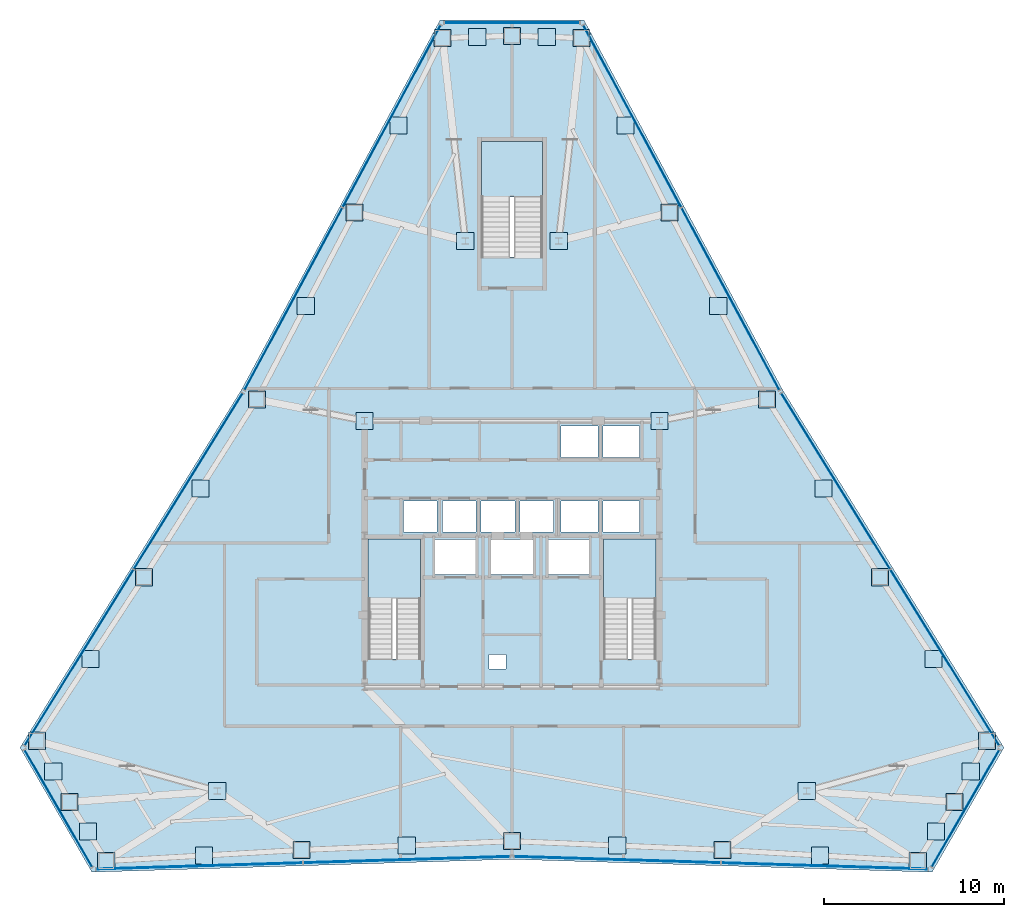
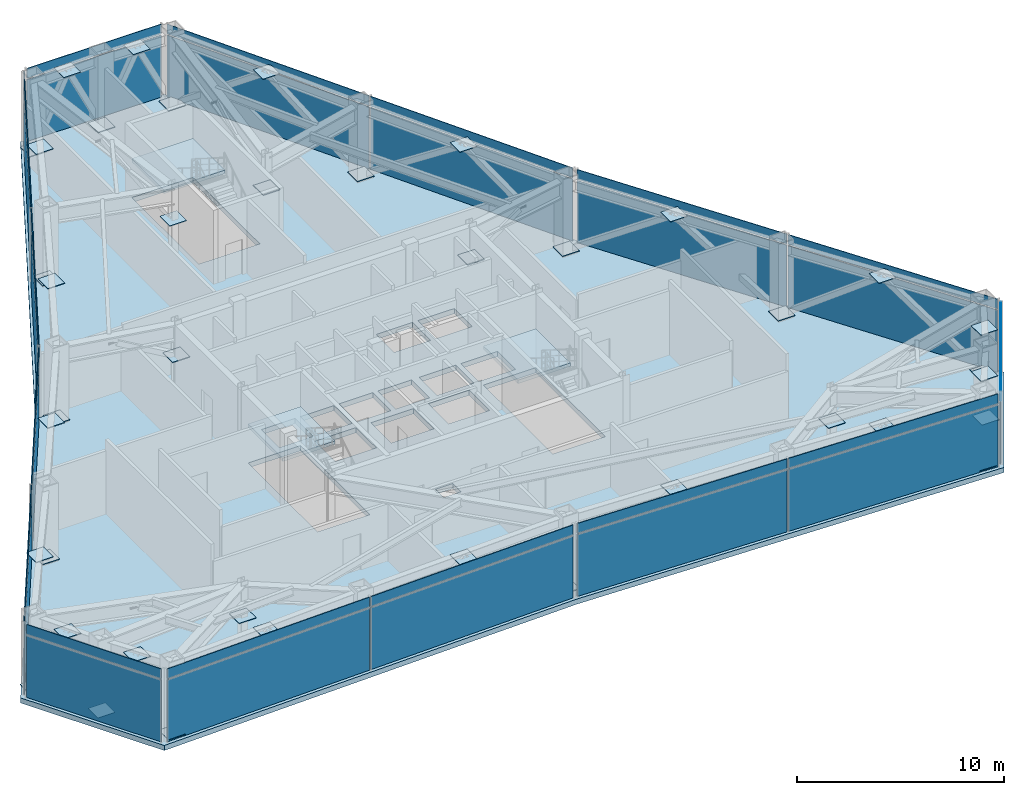
# One storey, part 8 of 12: 72 plates, 4 slabs, 12 elements without a shape of their own.
"""IFC4 building model written with IfcOpenShell, lengths in metres."""

from ifc_helpers import new_model, si_unit, direction, frame, origin, origin_2d, place, context, subcontext, project, spatial, polyline, rectangle, outline, extrude, source, transform, mapped, material, layer, layer_set, type_object, type_shapes, element, aggregate, save


model = new_model("IFC4")

# Units and contexts
model_context = context("Model", 3, precision=1e-05, world=origin(), true_north=direction((0.0, 1.0)))
body_context = subcontext(model_context, "Body", "Model", "MODEL_VIEW")
ifc_project = project(units=[si_unit("LENGTHUNIT", "METRE"), si_unit("AREAUNIT", "SQUARE_METRE"), si_unit("VOLUMEUNIT", "CUBIC_METRE"), si_unit("PLANEANGLEUNIT", "RADIAN"), si_unit("MASSUNIT", "GRAM", prefix="KILO")], contexts=[model_context])

# Site, building, storey
site_placement = place(None, origin())
site = spatial("IfcSite", under=ifc_project, at=site_placement, CompositionType="ELEMENT")
building_placement = place(site_placement, origin())
building = spatial("IfcBuilding", under=site, at=building_placement, Name="Varakhsha Concourse Tower", CompositionType="ELEMENT")
storey_placement = place(building_placement, frame((0.0, 0.0, 157.39990234375)))
storey = spatial("IfcBuildingStorey", under=building, at=storey_placement, Name="L45", CompositionType="ELEMENT", Elevation=157.39990234375)

# Slab
ifc_material_1 = material(Name="Concrete fc 45 MPa", Category="concrete")
ifc_layer_1 = layer(ifc_material_1, 0.300048828125, Name="SL-FLR-300")
ifc_layer_set_1 = layer_set([ifc_layer_1], Name="Concrete fc 45 MPa")
slab_type_1 = type_object("IfcSlabType", Name="SL-FLR-300", PredefinedType="FLOOR", material=ifc_layer_set_1)
slab_1_placement = place(storey_placement, frame((0.0, 0.0, -0.2998046875)))
element("IfcSlab", 1, at=slab_1_placement, inside=storey, type_object=slab_type_1, Name="L45 Composite Structural Slab", PredefinedType="FLOOR", context=body_context, shape_type="SweptSolid", body=[
    extrude(outline(polyline([(44.0, 53.49853515625), (36.0, 53.49853515625), (24.931396484375, 32.89990234375), (12.626708984375, 13.014892578125), (16.626708984375, 6.086669921875), (40.0, 6.80029296875), (63.373291015625, 6.086669921875), (67.373291015625, 13.014892578125), (55.068603515625, 32.89990234375), (44.0, 53.49853515625)]), holes=[polyline([(34.919921875, 17.93994140625), (34.919921875, 24.6298828125), (32.0, 24.6298828125), (32.0, 17.93994140625), (34.919921875, 17.93994140625)]), polyline([(48.02001953125, 17.93994140625), (48.02001953125, 24.6298828125), (45.10009765625, 24.6298828125), (45.10009765625, 17.93994140625), (48.02001953125, 17.93994140625)]), polyline([(41.699951171875, 40.300048828125), (41.699951171875, 46.75), (38.300048828125, 46.75), (38.300048828125, 40.300048828125), (41.699951171875, 40.300048828125)]), polyline([(33.9599609375, 25.0), (35.840087890625, 25.0), (35.840087890625, 26.739990234375), (33.9599609375, 26.739990234375), (33.9599609375, 25.0)]), polyline([(36.1201171875, 25.0), (38.0, 25.0), (38.0, 26.739990234375), (36.1201171875, 26.739990234375), (36.1201171875, 25.0)]), polyline([(38.280029296875, 25.0), (40.159912109375, 25.0), (40.159912109375, 26.739990234375), (38.280029296875, 26.739990234375), (38.280029296875, 25.0)]), polyline([(40.43994140625, 25.0), (42.320068359375, 25.0), (42.320068359375, 26.739990234375), (40.43994140625, 26.739990234375), (40.43994140625, 25.0)]), polyline([(42.739990234375, 29.159912109375), (44.780029296875, 29.159912109375), (44.780029296875, 30.89990234375), (42.739990234375, 30.89990234375), (42.739990234375, 29.159912109375)]), polyline([(45.06005859375, 29.159912109375), (47.10009765625, 29.159912109375), (47.10009765625, 30.89990234375), (45.06005859375, 30.89990234375), (45.06005859375, 29.159912109375)]), polyline([(42.739990234375, 25.0), (44.780029296875, 25.0), (44.780029296875, 26.739990234375), (42.739990234375, 26.739990234375), (42.739990234375, 25.0)]), polyline([(45.06005859375, 25.0), (47.10009765625, 25.0), (47.10009765625, 26.739990234375), (45.06005859375, 26.739990234375), (45.06005859375, 25.0)]), polyline([(35.7099609375, 22.639892578125), (37.989990234375, 22.639892578125), (37.989990234375, 24.60009765625), (35.7099609375, 24.60009765625), (35.7099609375, 22.639892578125)]), polyline([(42.010009765625, 22.639892578125), (44.2900390625, 22.639892578125), (44.2900390625, 24.60009765625), (42.010009765625, 24.60009765625), (42.010009765625, 22.639892578125)]), polyline([(38.81005859375, 22.639892578125), (41.18994140625, 22.639892578125), (41.18994140625, 24.60009765625), (38.81005859375, 24.60009765625), (38.81005859375, 22.639892578125)]), polyline([(38.719970703125, 17.39990234375), (39.679931640625, 17.39990234375), (39.679931640625, 18.199951171875), (38.719970703125, 18.199951171875), (38.719970703125, 17.39990234375)])]), origin(), (0.0, 0.0, 1.0), 0.2998046875),
])

# Stair, slab
stair_type_1 = type_object("IfcStairType", Name="ST-DOGLEG-1360", PredefinedType="HALF_TURN_STAIR", material=ifc_material_1)
stair_1_placement = place(storey_placement, origin())
stair_1 = element("IfcStair", 2, at=stair_1_placement, inside=storey, type_object=stair_type_1, Name="L45 Protected Exit Stair ST1", PredefinedType="HALF_TURN_STAIR")
ifc_layer_2 = layer(ifc_material_1, 0.199951171875, Name="SL-LAND-200")
ifc_layer_set_2 = layer_set([ifc_layer_2], Name="Concrete fc 45 MPa")
slab_type_2 = type_object("IfcSlabType", Name="SL-LAND-200", PredefinedType="LANDING", material=ifc_layer_set_2)
slab_2_placement = place(storey_placement, frame((0.0, 0.0, 2.10009765625)))
slab_2 = element("IfcSlab", 3, at=slab_2_placement, type_object=slab_type_2, Name="ST1 landing 1", PredefinedType="LANDING", context=body_context, shape_type="SweptSolid", body=[
    extrude(outline(polyline([(34.919921875, 21.300048828125), (34.919921875, 24.6298828125), (32.0, 24.6298828125), (32.0, 21.300048828125), (34.919921875, 21.300048828125)])), origin(), (0.0, 0.0, 1.0), 0.199951171875),
])
aggregate(stair_1, [slab_2])

stair_2_placement = place(storey_placement, origin())
stair_2 = element("IfcStair", 4, at=stair_2_placement, inside=storey, type_object=stair_type_1, Name="L45 Protected Exit Stair ST2", PredefinedType="HALF_TURN_STAIR")
slab_3_placement = place(storey_placement, frame((0.0, 0.0, 2.10009765625)))
slab_3 = element("IfcSlab", 5, at=slab_3_placement, type_object=slab_type_2, Name="ST2 landing 1", PredefinedType="LANDING", context=body_context, shape_type="SweptSolid", body=[
    extrude(outline(polyline([(48.02001953125, 21.300048828125), (48.02001953125, 24.6298828125), (45.10009765625, 24.6298828125), (45.10009765625, 21.300048828125), (48.02001953125, 21.300048828125)])), origin(), (0.0, 0.0, 1.0), 0.199951171875),
])
aggregate(stair_2, [slab_3])

stair_type_2 = type_object("IfcStairType", Name="ST-DOGLEG-1600", PredefinedType="HALF_TURN_STAIR", material=ifc_material_1)
stair_3_placement = place(storey_placement, origin())
stair_3 = element("IfcStair", 6, at=stair_3_placement, inside=storey, type_object=stair_type_2, Name="L45 Protected Exit Stair ST5", PredefinedType="HALF_TURN_STAIR")
slab_4_placement = place(storey_placement, frame((0.0, 0.0, 2.10009765625)))
slab_4 = element("IfcSlab", 7, at=slab_4_placement, type_object=slab_type_2, Name="ST5 landing 1", PredefinedType="LANDING", context=body_context, shape_type="SweptSolid", body=[
    extrude(outline(polyline([(41.699951171875, 43.659912109375), (41.699951171875, 46.75), (38.300048828125, 46.75), (38.300048828125, 43.659912109375), (41.699951171875, 43.659912109375)])), origin(), (0.0, 0.0, 1.0), 0.199951171875),
])
aggregate(stair_3, [slab_4])

# Plates
ifc_material_2 = material(Name="Structural Steel ASTM A572 Grade 50", Category="steel")
ifc_layer_3 = layer(ifc_material_2, 0.030029296875, Name="PL-ENDCAP-950")
ifc_layer_set_3 = layer_set([ifc_layer_3], Name="Structural Steel ASTM A572 Grade 50")
plate_type_1 = type_object("IfcPlateType", Name="PL-ENDCAP-950", PredefinedType="USERDEFINED", material=ifc_layer_set_3)
shared_shape_1 = source(origin(), body_context, "Body", "SweptSolid", [
    extrude(rectangle(XDim=0.949951171875, YDim=0.949951171875, at=origin_2d()), origin(), (0.0, 0.0, 1.0), 0.030029296875),
])
type_shapes(plate_type_1, [shared_shape_1])
for number, where, z_axis, x_axis, name in (
    (8, (43.863037109375, 52.495849609375, 0.10498046875), (0.0, 0.0, 1.0), (1.0, 0.0, 0.0), "Hollow Section End Cap GP-NODE-L45-0433"),
    (9, (41.931640625, 52.55712890625, 4.044921875), (0.0, 0.0, 1.0), (1.0, 0.0, 0.0), "Hollow Section End Cap GP-NODE-L45-0434"),
    (10, (40.0, 52.618408203125, 0.10498046875), (0.0, 0.0, 1.0), (1.0, 0.0, 0.0), "Hollow Section End Cap GP-NODE-L45-0435"),
    (11, (38.068359375, 52.55712890625, 4.044921875), (0.0, 0.0, 1.0), (1.0, 0.0, 0.0), "Hollow Section End Cap GP-NODE-L45-0436"),
    (12, (36.136962890625, 52.495849609375, 0.10498046875), (0.0, 0.0, 1.0), (1.0, 0.0, 0.0), "Hollow Section End Cap GP-NODE-L45-0437"),
    (13, (33.68896484375, 47.63916015625, 4.044921875), (0.0, 0.0, 1.0), (1.0, 0.0, 0.0), "Hollow Section End Cap GP-NODE-L45-0438"),
    (14, (31.240966796875, 42.78271484375, 0.10498046875), (0.0, 0.0, 1.0), (1.0, 0.0, 0.0), "Hollow Section End Cap GP-NODE-L45-0439"),
    (15, (28.5244140625, 37.588134765625, 4.044921875), (0.0, 0.0, 1.0), (1.0, 0.0, 0.0), "Hollow Section End Cap GP-NODE-L45-0440"),
    (16, (25.807861328125, 32.393798828125, 0.10498046875), (0.0, 0.0, 1.0), (1.0, 0.0, 0.0), "Hollow Section End Cap GP-NODE-L45-0441"),
    (17, (22.66748046875, 27.444091796875, 4.044921875), (0.0, 0.0, 1.0), (1.0, 0.0, 0.0), "Hollow Section End Cap GP-NODE-L45-0442"),
    (18, (19.52734375, 22.494384765625, 0.10498046875), (0.0, 0.0, 1.0), (1.0, 0.0, 0.0), "Hollow Section End Cap GP-NODE-L45-0443"),
    (19, (16.54541015625, 17.946044921875, 4.044921875), (0.0, 0.0, 1.0), (1.0, 0.0, 0.0), "Hollow Section End Cap GP-NODE-L45-0444"),
    (20, (13.563720703125, 13.397705078125, 0.10498046875), (0.0, 0.0, 1.0), (1.0, 0.0, 0.0), "Hollow Section End Cap GP-NODE-L45-0445"),
    (21, (14.476318359375, 11.694091796875, 4.044921875), (0.0, 0.0, 1.0), (1.0, 0.0, 0.0), "Hollow Section End Cap GP-NODE-L45-0446"),
    (22, (15.388916015625, 9.99072265625, 0.10498046875), (0.0, 0.0, 1.0), (1.0, 0.0, 0.0), "Hollow Section End Cap GP-NODE-L45-0447"),
    (23, (16.40771484375, 8.3486328125, 4.044921875), (0.0, 0.0, 1.0), (1.0, 0.0, 0.0), "Hollow Section End Cap GP-NODE-L45-0448"),
    (24, (17.4267578125, 6.70654296875, 0.10498046875), (0.0, 0.0, 1.0), (1.0, 0.0, 0.0), "Hollow Section End Cap GP-NODE-L45-0449"),
    (25, (22.856689453125, 7.014892578125, 4.044921875), (0.0, 0.0, 1.0), (1.0, 0.0, 0.0), "Hollow Section End Cap GP-NODE-L45-0450"),
    (26, (28.28662109375, 7.322998046875, 0.10498046875), (0.0, 0.0, 1.0), (1.0, 0.0, 0.0), "Hollow Section End Cap GP-NODE-L45-0451"),
    (27, (34.143310546875, 7.567626953125, 4.044921875), (0.0, 0.0, 1.0), (1.0, 0.0, 0.0), "Hollow Section End Cap GP-NODE-L45-0452"),
    (28, (40.0, 7.812255859375, 0.10498046875), (0.0, 0.0, 1.0), (1.0, 0.0, 0.0), "Hollow Section End Cap GP-NODE-L45-0453"),
    (29, (45.856689453125, 7.567626953125, 4.044921875), (0.0, 0.0, 1.0), (1.0, 0.0, 0.0), "Hollow Section End Cap GP-NODE-L45-0454"),
    (30, (51.71337890625, 7.322998046875, 0.10498046875), (0.0, 0.0, 1.0), (1.0, 0.0, 0.0), "Hollow Section End Cap GP-NODE-L45-0455"),
    (31, (57.143310546875, 7.014892578125, 4.044921875), (0.0, 0.0, 1.0), (1.0, 0.0, 0.0), "Hollow Section End Cap GP-NODE-L45-0456"),
    (32, (62.5732421875, 6.70654296875, 0.10498046875), (0.0, 0.0, 1.0), (1.0, 0.0, 0.0), "Hollow Section End Cap GP-NODE-L45-0457"),
    (33, (63.59228515625, 8.3486328125, 4.044921875), (0.0, 0.0, 1.0), (1.0, 0.0, 0.0), "Hollow Section End Cap GP-NODE-L45-0458"),
    (34, (64.611083984375, 9.99072265625, 0.10498046875), (0.0, 0.0, 1.0), (1.0, 0.0, 0.0), "Hollow Section End Cap GP-NODE-L45-0459"),
    (35, (65.523681640625, 11.694091796875, 4.044921875), (0.0, 0.0, 1.0), (1.0, 0.0, 0.0), "Hollow Section End Cap GP-NODE-L45-0460"),
    (36, (66.436279296875, 13.397705078125, 0.10498046875), (0.0, 0.0, 1.0), (1.0, 0.0, 0.0), "Hollow Section End Cap GP-NODE-L45-0461"),
    (37, (63.45458984375, 17.946044921875, 4.044921875), (0.0, 0.0, 1.0), (1.0, 0.0, 0.0), "Hollow Section End Cap GP-NODE-L45-0462"),
    (38, (60.47265625, 22.494384765625, 0.10498046875), (0.0, 0.0, 1.0), (1.0, 0.0, 0.0), "Hollow Section End Cap GP-NODE-L45-0463"),
    (39, (57.33251953125, 27.444091796875, 4.044921875), (0.0, 0.0, 1.0), (1.0, 0.0, 0.0), "Hollow Section End Cap GP-NODE-L45-0464"),
    (40, (54.192138671875, 32.393798828125, 0.10498046875), (0.0, 0.0, 1.0), (1.0, 0.0, 0.0), "Hollow Section End Cap GP-NODE-L45-0465"),
    (41, (51.4755859375, 37.588134765625, 4.044921875), (0.0, 0.0, 1.0), (1.0, 0.0, 0.0), "Hollow Section End Cap GP-NODE-L45-0466"),
    (42, (48.759033203125, 42.78271484375, 0.10498046875), (0.0, 0.0, 1.0), (1.0, 0.0, 0.0), "Hollow Section End Cap GP-NODE-L45-0467"),
    (43, (46.31103515625, 47.63916015625, 4.044921875), (0.0, 0.0, 1.0), (1.0, 0.0, 0.0), "Hollow Section End Cap GP-NODE-L45-0468"),
    (44, (42.60009765625, 41.199951171875, 2.43505859375), (0.0, 0.0, 1.0), (1.0, 0.0, 0.0), "Hollow Section End Cap GP-NODE-L45-0469"),
    (45, (37.39990234375, 41.199951171875, 2.43505859375), (0.0, 0.0, 1.0), (1.0, 0.0, 0.0), "Hollow Section End Cap GP-NODE-L45-0470"),
    (46, (31.800048828125, 31.199951171875, 2.43505859375), (0.0, 0.0, 1.0), (1.0, 0.0, 0.0), "Hollow Section End Cap GP-NODE-L45-0471"),
    (47, (23.60009765625, 10.60009765625, 2.43505859375), (0.0, 0.0, 1.0), (1.0, 0.0, 0.0), "Hollow Section End Cap GP-NODE-L45-0472"),
    (48, (56.39990234375, 10.60009765625, 2.43505859375), (0.0, 0.0, 1.0), (1.0, 0.0, 0.0), "Hollow Section End Cap GP-NODE-L45-0473"),
    (49, (48.199951171875, 31.199951171875, 2.43505859375), (0.0, 0.0, 1.0), (1.0, 0.0, 0.0), "Hollow Section End Cap GP-NODE-L45-0474"),
):
    element("IfcPlate", number, at=place(storey_placement, frame(where, z_axis=z_axis, x_axis=x_axis)), inside=storey, type_object=plate_type_1, Name=name, ObjectType="END PLATE", PredefinedType="USERDEFINED", context=body_context, shape_type="MappedRepresentation", body=[
        mapped(shared_shape_1, transform((0.0, 0.0, 0.0), scale=1.0)),
    ])

# Curtain wall, plates
ifc_material_3 = material(Name="Anodised Bronze Architectural Aluminium AA 6063-T6", Category="aluminium")
ifc_layer_4 = layer(ifc_material_3, 0.260009765625, Name="CW-SYS-06")
ifc_layer_set_4 = layer_set([ifc_layer_4], Name="Anodised Bronze Architectural Aluminium AA 6063-T6")
curtain_wall_type = type_object("IfcCurtainWallType", Name="CW-SYS-06", PredefinedType="NOTDEFINED", material=ifc_layer_set_4)
curtain_wall_1_placement = place(storey_placement, origin())
curtain_wall_1 = element("IfcCurtainWall", 50, at=curtain_wall_1_placement, inside=storey, type_object=curtain_wall_type, Name="L45 Chamfer Curtain Wall F1", PredefinedType="NOTDEFINED")
ifc_material_4 = material(Name="Extruded Bronze Storm-Proof Acoustic Louvre", Category="aluminium")
ifc_layer_5 = layer(ifc_material_4, 0.050048828125, Name="CWP-LVR-50")
ifc_layer_set_5 = layer_set([ifc_layer_5], Name="Extruded Bronze Storm-Proof Acoustic Louvre")
plate_type_2 = type_object("IfcPlateType", Name="CWP-LVR-50", PredefinedType="USERDEFINED", material=ifc_layer_set_5)
shared_shape_2 = source(origin(), body_context, "Body", "SweptSolid", [
    extrude(rectangle(XDim=7.48095703125, YDim=0.050048828125, at=origin_2d()), origin(), (0.0, 0.0, 1.0), 3.64111328125),
])
plate_1_placement = place(storey_placement, frame((40.0, 53.33837890625, 0.034423828125), z_axis=(0.0, 0.0, 1.0), x_axis=(1.0, 0.0, 0.0)))
plate_1 = element("IfcPlate", 51, at=plate_1_placement, type_object=plate_type_2, Name="CW-L45-F1 Panel 00-00", ObjectType="LOUVRE", PredefinedType="USERDEFINED", context=body_context, shape_type="MappedRepresentation", body=[
    mapped(shared_shape_2, transform((0.0, 0.0, 0.0), scale=1.0)),
])
ifc_material_5 = material(Name="Glazed Turquoise-Bronze Ceramic Spandrel Panel 38 mm", Category="ceramic")
ifc_layer_6 = layer(ifc_material_5, 0.0380859375, Name="CWP-SPN-38")
ifc_layer_set_6 = layer_set([ifc_layer_6], Name="Glazed Turquoise-Bronze Ceramic Spandrel Panel 38 mm")
plate_type_3 = type_object("IfcPlateType", Name="CWP-SPN-38", PredefinedType="USERDEFINED", material=ifc_layer_set_6)
shared_shape_3 = source(origin(), body_context, "Body", "SweptSolid", [
    extrude(rectangle(XDim=7.48095703125, YDim=0.0380859375, at=origin_2d()), origin(), (0.0, 0.0, 1.0), 0.5810546875),
])
plate_2_placement = place(storey_placement, frame((40.0, 53.33837890625, 3.74462890625), z_axis=(0.0, 0.0, 1.0), x_axis=(1.0, 0.0, 0.0)))
plate_2 = element("IfcPlate", 52, at=plate_2_placement, type_object=plate_type_3, Name="CW-L45-F1 Panel 00-01", ObjectType="SPANDREL", PredefinedType="USERDEFINED", context=body_context, shape_type="MappedRepresentation", body=[
    mapped(shared_shape_3, transform((0.0, 0.0, 0.0), scale=1.0)),
])
aggregate(curtain_wall_1, [plate_1, plate_2])

curtain_wall_2_placement = place(storey_placement, origin())
curtain_wall_2 = element("IfcCurtainWall", 53, at=curtain_wall_2_placement, inside=storey, type_object=curtain_wall_type, Name="L45 Crystal Curtain Wall F2", PredefinedType="NOTDEFINED")
shared_shape_4 = source(origin(), body_context, "Body", "SweptSolid", [
    extrude(rectangle(XDim=11.463134765625, YDim=0.050048828125, at=origin_2d()), origin(), (0.0, 0.0, 1.0), 3.64111328125),
])
plate_3_placement = place(storey_placement, frame((27.841796875, 37.97802734375, 0.034423828125), z_axis=(0.0, 0.0, 1.0), x_axis=(0.473335041556, 0.880882477085, 0.0)))
plate_3 = element("IfcPlate", 54, at=plate_3_placement, type_object=plate_type_2, Name="CW-L45-F2 Panel 00-00", ObjectType="LOUVRE", PredefinedType="USERDEFINED", context=body_context, shape_type="MappedRepresentation", body=[
    mapped(shared_shape_4, transform((0.0, 0.0, 0.0), scale=1.0)),
])
plate_4_placement = place(storey_placement, frame((33.30517578125, 48.1455078125, 0.034423828125), z_axis=(0.0, 0.0, 1.0), x_axis=(0.473335041556, 0.880882477085, 0.0)))
plate_4 = element("IfcPlate", 55, at=plate_4_placement, type_object=plate_type_2, Name="CW-L45-F2 Panel 01-00", ObjectType="LOUVRE", PredefinedType="USERDEFINED", context=body_context, shape_type="MappedRepresentation", body=[
    mapped(shared_shape_4, transform((0.0, 0.0, 0.0), scale=1.0)),
])

# Curtain wall, plate
curtain_wall_3_placement = place(storey_placement, origin())
curtain_wall_3 = element("IfcCurtainWall", 56, at=curtain_wall_3_placement, inside=storey, type_object=curtain_wall_type, Name="L45 Crystal Curtain Wall F3", PredefinedType="NOTDEFINED")
plate_5_placement = place(storey_placement, frame((21.98876953125, 27.840087890625, 0.034423828125), z_axis=(0.0, 0.0, 1.0), x_axis=(0.526199082126, 0.850361409032, 0.0)))
plate_5 = element("IfcPlate", 57, at=plate_5_placement, type_object=plate_type_2, Name="CW-L45-F3 Panel 01-00", ObjectType="LOUVRE", PredefinedType="USERDEFINED", context=body_context, shape_type="MappedRepresentation", body=[
    mapped(shared_shape_4, transform((0.0, 0.0, 0.0), scale=1.0)),
])

# Curtain wall, plates
curtain_wall_4_placement = place(storey_placement, origin())
curtain_wall_4 = element("IfcCurtainWall", 58, at=curtain_wall_4_placement, inside=storey, type_object=curtain_wall_type, Name="L45 Crystal Curtain Wall F5", PredefinedType="NOTDEFINED")
plate_6_placement = place(storey_placement, frame((34.146728515625, 6.781494140625, 0.034423828125), z_axis=(0.0, 0.0, 1.0), x_axis=(-0.999534070411, -0.030522812569, 0.0)))
plate_6 = element("IfcPlate", 59, at=plate_6_placement, type_object=plate_type_2, Name="CW-L45-F5 Panel 00-00", ObjectType="LOUVRE", PredefinedType="USERDEFINED", context=body_context, shape_type="MappedRepresentation", body=[
    mapped(shared_shape_4, transform((0.0, 0.0, 0.0), scale=1.0)),
])
plate_7_placement = place(storey_placement, frame((22.610107421875, 6.42919921875, 0.034423828125), z_axis=(0.0, 0.0, 1.0), x_axis=(-0.999534070411, -0.030522812569, 0.0)))
plate_7 = element("IfcPlate", 60, at=plate_7_placement, type_object=plate_type_2, Name="CW-L45-F5 Panel 01-00", ObjectType="LOUVRE", PredefinedType="USERDEFINED", context=body_context, shape_type="MappedRepresentation", body=[
    mapped(shared_shape_4, transform((0.0, 0.0, 0.0), scale=1.0)),
])

curtain_wall_5_placement = place(storey_placement, origin())
curtain_wall_5 = element("IfcCurtainWall", 61, at=curtain_wall_5_placement, inside=storey, type_object=curtain_wall_type, Name="L45 Crystal Curtain Wall F6", PredefinedType="NOTDEFINED")
plate_8_placement = place(storey_placement, frame((57.389892578125, 6.429443359375, 0.034423828125), z_axis=(0.0, 0.0, 1.0), x_axis=(-0.999534070411, 0.030522812569, 0.0)))
plate_8 = element("IfcPlate", 62, at=plate_8_placement, type_object=plate_type_2, Name="CW-L45-F6 Panel 00-00", ObjectType="LOUVRE", PredefinedType="USERDEFINED", context=body_context, shape_type="MappedRepresentation", body=[
    mapped(shared_shape_4, transform((0.0, 0.0, 0.0), scale=1.0)),
])
plate_9_placement = place(storey_placement, frame((45.85302734375, 6.78173828125, 0.034423828125), z_axis=(0.0, 0.0, 1.0), x_axis=(-0.999534070411, 0.030522812569, 0.0)))
plate_9 = element("IfcPlate", 63, at=plate_9_placement, type_object=plate_type_2, Name="CW-L45-F6 Panel 01-00", ObjectType="LOUVRE", PredefinedType="USERDEFINED", context=body_context, shape_type="MappedRepresentation", body=[
    mapped(shared_shape_4, transform((0.0, 0.0, 0.0), scale=1.0)),
])

# Curtain wall, plate
curtain_wall_6_placement = place(storey_placement, origin())
curtain_wall_6 = element("IfcCurtainWall", 64, at=curtain_wall_6_placement, inside=storey, type_object=curtain_wall_type, Name="L45 Crystal Curtain Wall F8", PredefinedType="NOTDEFINED")
plate_10_placement = place(storey_placement, frame((64.084716796875, 18.025390625, 0.034423828125), z_axis=(0.0, 0.0, 1.0), x_axis=(0.526199082126, -0.850361409032, 0.0)))
plate_10 = element("IfcPlate", 65, at=plate_10_placement, type_object=plate_type_2, Name="CW-L45-F8 Panel 01-00", ObjectType="LOUVRE", PredefinedType="USERDEFINED", context=body_context, shape_type="MappedRepresentation", body=[
    mapped(shared_shape_4, transform((0.0, 0.0, 0.0), scale=1.0)),
])

# Curtain wall, plates
curtain_wall_7_placement = place(storey_placement, origin())
curtain_wall_7 = element("IfcCurtainWall", 66, at=curtain_wall_7_placement, inside=storey, type_object=curtain_wall_type, Name="L45 Crystal Curtain Wall F9", PredefinedType="NOTDEFINED")
plate_11_placement = place(storey_placement, frame((46.69482421875, 48.1455078125, 0.034423828125), z_axis=(0.0, 0.0, 1.0), x_axis=(0.473335041556, -0.880882477085, 0.0)))
plate_11 = element("IfcPlate", 67, at=plate_11_placement, type_object=plate_type_2, Name="CW-L45-F9 Panel 00-00", ObjectType="LOUVRE", PredefinedType="USERDEFINED", context=body_context, shape_type="MappedRepresentation", body=[
    mapped(shared_shape_4, transform((0.0, 0.0, 0.0), scale=1.0)),
])
plate_12_placement = place(storey_placement, frame((52.158203125, 37.97802734375, 0.034423828125), z_axis=(0.0, 0.0, 1.0), x_axis=(0.473335041556, -0.880882477085, 0.0)))
plate_12 = element("IfcPlate", 68, at=plate_12_placement, type_object=plate_type_2, Name="CW-L45-F9 Panel 01-00", ObjectType="LOUVRE", PredefinedType="USERDEFINED", context=body_context, shape_type="MappedRepresentation", body=[
    mapped(shared_shape_4, transform((0.0, 0.0, 0.0), scale=1.0)),
])

# Plate
shared_shape_5 = source(origin(), body_context, "Body", "SweptSolid", [
    extrude(rectangle(XDim=11.463134765625, YDim=0.0380859375, at=origin_2d()), origin(), (0.0, 0.0, 1.0), 0.5810546875),
])
plate_13_placement = place(storey_placement, frame((27.841796875, 37.97802734375, 3.74462890625), z_axis=(0.0, 0.0, 1.0), x_axis=(0.473335041556, 0.880882477085, 0.0)))
plate_13 = element("IfcPlate", 69, at=plate_13_placement, type_object=plate_type_3, Name="CW-L45-F2 Panel 00-01", ObjectType="SPANDREL", PredefinedType="USERDEFINED", context=body_context, shape_type="MappedRepresentation", body=[
    mapped(shared_shape_5, transform((0.0, 0.0, 0.0), scale=1.0)),
])

plate_14_placement = place(storey_placement, frame((33.30517578125, 48.1455078125, 3.74462890625), z_axis=(0.0, 0.0, 1.0), x_axis=(0.473335041556, 0.880882477085, 0.0)))
plate_14 = element("IfcPlate", 70, at=plate_14_placement, type_object=plate_type_3, Name="CW-L45-F2 Panel 01-01", ObjectType="SPANDREL", PredefinedType="USERDEFINED", context=body_context, shape_type="MappedRepresentation", body=[
    mapped(shared_shape_5, transform((0.0, 0.0, 0.0), scale=1.0)),
])

aggregate(curtain_wall_2, [plate_3, plate_13, plate_4, plate_14])

plate_15_placement = place(storey_placement, frame((21.98876953125, 27.840087890625, 3.74462890625), z_axis=(0.0, 0.0, 1.0), x_axis=(0.526199082126, 0.850361409032, 0.0)))
plate_15 = element("IfcPlate", 71, at=plate_15_placement, type_object=plate_type_3, Name="CW-L45-F3 Panel 01-01", ObjectType="SPANDREL", PredefinedType="USERDEFINED", context=body_context, shape_type="MappedRepresentation", body=[
    mapped(shared_shape_5, transform((0.0, 0.0, 0.0), scale=1.0)),
])

plate_16_placement = place(storey_placement, frame((34.146728515625, 6.781494140625, 3.74462890625), z_axis=(0.0, 0.0, 1.0), x_axis=(-0.999534070411, -0.030522812569, 0.0)))
plate_16 = element("IfcPlate", 72, at=plate_16_placement, type_object=plate_type_3, Name="CW-L45-F5 Panel 00-01", ObjectType="SPANDREL", PredefinedType="USERDEFINED", context=body_context, shape_type="MappedRepresentation", body=[
    mapped(shared_shape_5, transform((0.0, 0.0, 0.0), scale=1.0)),
])

plate_17_placement = place(storey_placement, frame((22.610107421875, 6.42919921875, 3.74462890625), z_axis=(0.0, 0.0, 1.0), x_axis=(-0.999534070411, -0.030522812569, 0.0)))
plate_17 = element("IfcPlate", 73, at=plate_17_placement, type_object=plate_type_3, Name="CW-L45-F5 Panel 01-01", ObjectType="SPANDREL", PredefinedType="USERDEFINED", context=body_context, shape_type="MappedRepresentation", body=[
    mapped(shared_shape_5, transform((0.0, 0.0, 0.0), scale=1.0)),
])

aggregate(curtain_wall_4, [plate_6, plate_16, plate_7, plate_17])

plate_18_placement = place(storey_placement, frame((57.389892578125, 6.429443359375, 3.74462890625), z_axis=(0.0, 0.0, 1.0), x_axis=(-0.999534070411, 0.030522812569, 0.0)))
plate_18 = element("IfcPlate", 74, at=plate_18_placement, type_object=plate_type_3, Name="CW-L45-F6 Panel 00-01", ObjectType="SPANDREL", PredefinedType="USERDEFINED", context=body_context, shape_type="MappedRepresentation", body=[
    mapped(shared_shape_5, transform((0.0, 0.0, 0.0), scale=1.0)),
])

plate_19_placement = place(storey_placement, frame((45.85302734375, 6.78173828125, 3.74462890625), z_axis=(0.0, 0.0, 1.0), x_axis=(-0.999534070411, 0.030522812569, 0.0)))
plate_19 = element("IfcPlate", 75, at=plate_19_placement, type_object=plate_type_3, Name="CW-L45-F6 Panel 01-01", ObjectType="SPANDREL", PredefinedType="USERDEFINED", context=body_context, shape_type="MappedRepresentation", body=[
    mapped(shared_shape_5, transform((0.0, 0.0, 0.0), scale=1.0)),
])

aggregate(curtain_wall_5, [plate_8, plate_18, plate_9, plate_19])

plate_20_placement = place(storey_placement, frame((64.084716796875, 18.025390625, 3.74462890625), z_axis=(0.0, 0.0, 1.0), x_axis=(0.526199082126, -0.850361409032, 0.0)))
plate_20 = element("IfcPlate", 76, at=plate_20_placement, type_object=plate_type_3, Name="CW-L45-F8 Panel 01-01", ObjectType="SPANDREL", PredefinedType="USERDEFINED", context=body_context, shape_type="MappedRepresentation", body=[
    mapped(shared_shape_5, transform((0.0, 0.0, 0.0), scale=1.0)),
])

plate_21_placement = place(storey_placement, frame((46.69482421875, 48.1455078125, 3.74462890625), z_axis=(0.0, 0.0, 1.0), x_axis=(0.473335041556, -0.880882477085, 0.0)))
plate_21 = element("IfcPlate", 77, at=plate_21_placement, type_object=plate_type_3, Name="CW-L45-F9 Panel 00-01", ObjectType="SPANDREL", PredefinedType="USERDEFINED", context=body_context, shape_type="MappedRepresentation", body=[
    mapped(shared_shape_5, transform((0.0, 0.0, 0.0), scale=1.0)),
])

plate_22_placement = place(storey_placement, frame((52.158203125, 37.97802734375, 3.74462890625), z_axis=(0.0, 0.0, 1.0), x_axis=(0.473335041556, -0.880882477085, 0.0)))
plate_22 = element("IfcPlate", 78, at=plate_22_placement, type_object=plate_type_3, Name="CW-L45-F9 Panel 01-01", ObjectType="SPANDREL", PredefinedType="USERDEFINED", context=body_context, shape_type="MappedRepresentation", body=[
    mapped(shared_shape_5, transform((0.0, 0.0, 0.0), scale=1.0)),
])

aggregate(curtain_wall_7, [plate_11, plate_21, plate_12, plate_22])

shared_shape_6 = source(origin(), body_context, "Body", "SweptSolid", [
    extrude(rectangle(XDim=11.462890625, YDim=0.050048828125, at=origin_2d()), origin(), (0.0, 0.0, 1.0), 3.64111328125),
])
plate_23_placement = place(storey_placement, frame((15.915283203125, 18.025146484375, 0.034423828125), z_axis=(0.0, 0.0, 1.0), x_axis=(0.526199082126, 0.850361409032, 0.0)))
plate_23 = element("IfcPlate", 79, at=plate_23_placement, type_object=plate_type_2, Name="CW-L45-F3 Panel 00-00", ObjectType="LOUVRE", PredefinedType="USERDEFINED", context=body_context, shape_type="MappedRepresentation", body=[
    mapped(shared_shape_6, transform((0.0, 0.0, 0.0), scale=1.0)),
])

plate_24_placement = place(storey_placement, frame((58.01123046875, 27.840087890625, 0.034423828125), z_axis=(0.0, 0.0, 1.0), x_axis=(0.526199082126, -0.850361409032, 0.0)))
plate_24 = element("IfcPlate", 80, at=plate_24_placement, type_object=plate_type_2, Name="CW-L45-F8 Panel 00-00", ObjectType="LOUVRE", PredefinedType="USERDEFINED", context=body_context, shape_type="MappedRepresentation", body=[
    mapped(shared_shape_6, transform((0.0, 0.0, 0.0), scale=1.0)),
])

shared_shape_7 = source(origin(), body_context, "Body", "SweptSolid", [
    extrude(rectangle(XDim=11.462890625, YDim=0.0380859375, at=origin_2d()), origin(), (0.0, 0.0, 1.0), 0.5810546875),
])
plate_25_placement = place(storey_placement, frame((15.915283203125, 18.025146484375, 3.74462890625), z_axis=(0.0, 0.0, 1.0), x_axis=(0.526199082126, 0.850361409032, 0.0)))
plate_25 = element("IfcPlate", 81, at=plate_25_placement, type_object=plate_type_3, Name="CW-L45-F3 Panel 00-01", ObjectType="SPANDREL", PredefinedType="USERDEFINED", context=body_context, shape_type="MappedRepresentation", body=[
    mapped(shared_shape_7, transform((0.0, 0.0, 0.0), scale=1.0)),
])

aggregate(curtain_wall_3, [plate_23, plate_25, plate_5, plate_15])

plate_26_placement = place(storey_placement, frame((58.01123046875, 27.840087890625, 3.74462890625), z_axis=(0.0, 0.0, 1.0), x_axis=(0.526199082126, -0.850361409032, 0.0)))
plate_26 = element("IfcPlate", 82, at=plate_26_placement, type_object=plate_type_3, Name="CW-L45-F8 Panel 00-01", ObjectType="SPANDREL", PredefinedType="USERDEFINED", context=body_context, shape_type="MappedRepresentation", body=[
    mapped(shared_shape_7, transform((0.0, 0.0, 0.0), scale=1.0)),
])

aggregate(curtain_wall_6, [plate_24, plate_26, plate_10, plate_20])

# Curtain wall, plate
curtain_wall_8_placement = place(storey_placement, origin())
curtain_wall_8 = element("IfcCurtainWall", 83, at=curtain_wall_8_placement, inside=storey, type_object=curtain_wall_type, Name="L45 Chamfer Curtain Wall F4", PredefinedType="NOTDEFINED")
shared_shape_8 = source(origin(), body_context, "Body", "SweptSolid", [
    extrude(rectangle(XDim=7.481201171875, YDim=0.050048828125, at=origin_2d()), origin(), (0.0, 0.0, 1.0), 3.64111328125),
])
type_shapes(plate_type_2, [shared_shape_2, shared_shape_4, shared_shape_6, shared_shape_8])
plate_27_placement = place(storey_placement, frame((14.765380859375, 9.630859375, 0.034423828125), z_axis=(0.0, 0.0, 1.0), x_axis=(-0.499990930976, 0.866030639725, 0.0)))
plate_27 = element("IfcPlate", 84, at=plate_27_placement, type_object=plate_type_2, Name="CW-L45-F4 Panel 00-00", ObjectType="LOUVRE", PredefinedType="USERDEFINED", context=body_context, shape_type="MappedRepresentation", body=[
    mapped(shared_shape_8, transform((0.0, 0.0, 0.0), scale=1.0)),
])

curtain_wall_9_placement = place(storey_placement, origin())
curtain_wall_9 = element("IfcCurtainWall", 85, at=curtain_wall_9_placement, inside=storey, type_object=curtain_wall_type, Name="L45 Chamfer Curtain Wall F7", PredefinedType="NOTDEFINED")
plate_28_placement = place(storey_placement, frame((65.234619140625, 9.630859375, 0.034423828125), z_axis=(0.0, 0.0, 1.0), x_axis=(-0.499990930976, -0.866030639725, 0.0)))
plate_28 = element("IfcPlate", 86, at=plate_28_placement, type_object=plate_type_2, Name="CW-L45-F7 Panel 00-00", ObjectType="LOUVRE", PredefinedType="USERDEFINED", context=body_context, shape_type="MappedRepresentation", body=[
    mapped(shared_shape_8, transform((0.0, 0.0, 0.0), scale=1.0)),
])

# Plate
shared_shape_9 = source(origin(), body_context, "Body", "SweptSolid", [
    extrude(rectangle(XDim=7.481201171875, YDim=0.0380859375, at=origin_2d()), origin(), (0.0, 0.0, 1.0), 0.5810546875),
])
type_shapes(plate_type_3, [shared_shape_3, shared_shape_5, shared_shape_7, shared_shape_9])
plate_29_placement = place(storey_placement, frame((14.765380859375, 9.630859375, 3.74462890625), z_axis=(0.0, 0.0, 1.0), x_axis=(-0.499990930976, 0.866030639725, 0.0)))
plate_29 = element("IfcPlate", 87, at=plate_29_placement, type_object=plate_type_3, Name="CW-L45-F4 Panel 00-01", ObjectType="SPANDREL", PredefinedType="USERDEFINED", context=body_context, shape_type="MappedRepresentation", body=[
    mapped(shared_shape_9, transform((0.0, 0.0, 0.0), scale=1.0)),
])

aggregate(curtain_wall_8, [plate_27, plate_29])

plate_30_placement = place(storey_placement, frame((65.234619140625, 9.630859375, 3.74462890625), z_axis=(0.0, 0.0, 1.0), x_axis=(-0.499990930976, -0.866030639725, 0.0)))
plate_30 = element("IfcPlate", 88, at=plate_30_placement, type_object=plate_type_3, Name="CW-L45-F7 Panel 00-01", ObjectType="SPANDREL", PredefinedType="USERDEFINED", context=body_context, shape_type="MappedRepresentation", body=[
    mapped(shared_shape_9, transform((0.0, 0.0, 0.0), scale=1.0)),
])

aggregate(curtain_wall_9, [plate_28, plate_30])

save(model, "model.ifc")
